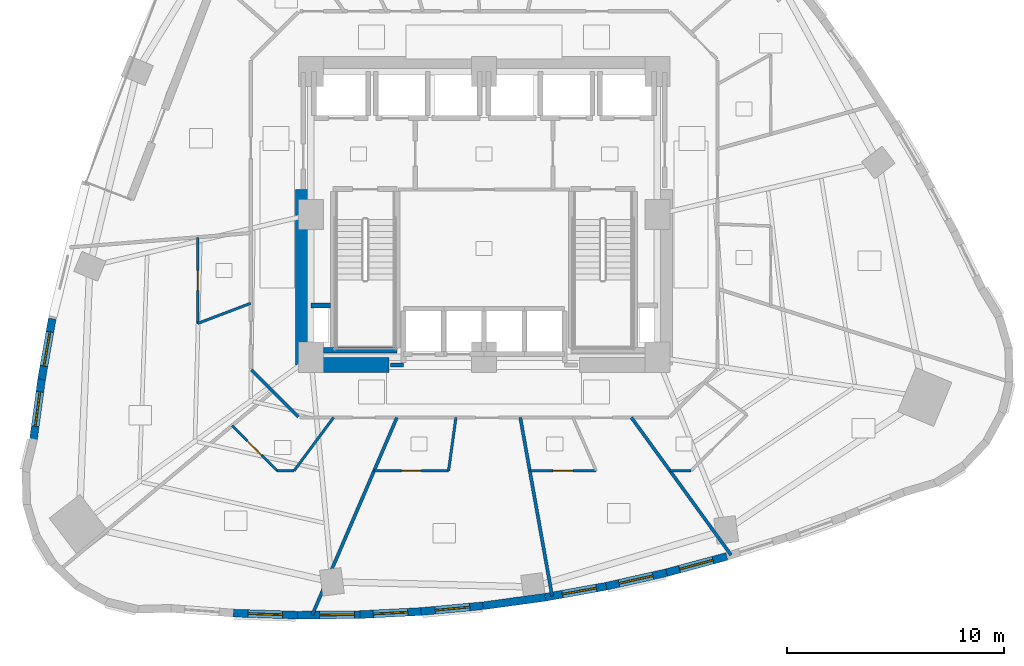
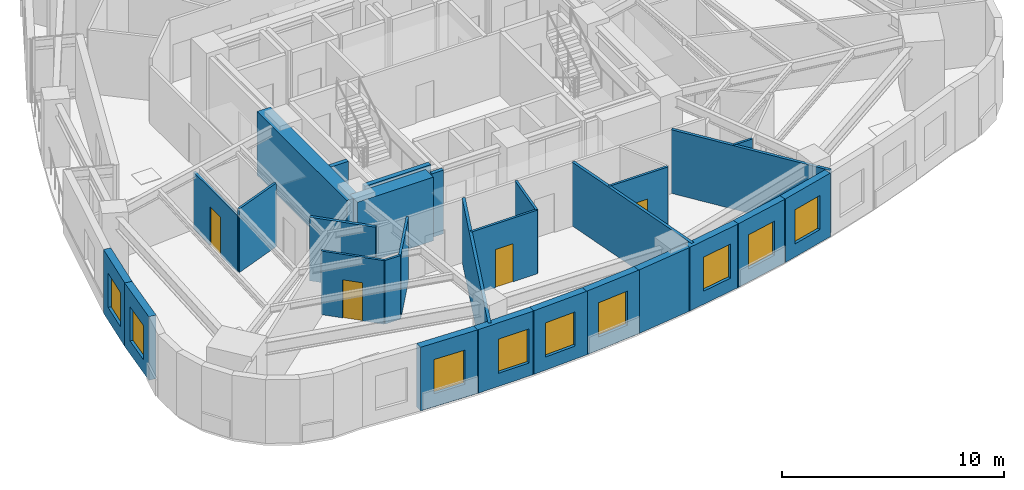
# One storey, part 5 of 12: 28 walls, 9 windows, 4 doors, 13 openings.
"""IFC4 building model written with IfcOpenShell, lengths in metres."""

import ifcopenshell
import ifcopenshell.guid

model = None  # the IFC model being written
_history = None  # IfcOwnerHistory: only IFC2X3 demands one
_inside = {}  # id of a spatial element -> (the spatial element, [elements in it])
_under = {}  # id of a project, library or spatial element -> (it, [spatial elements below it])
_declared = {}  # id of a project -> (the project, [libraries it declares])
_typed = {}  # id of a type object -> (the type object, [elements of that type])
_made_of = {}  # id of a material, layer set ... -> (it, [elements and type objects made of it])


def new_model(schema):
    """Start an empty IFC model of exactly this schema.

    Asked for "IFC4X3", IfcOpenShell would pick the latest addendum, in which some entities
    have other attributes; the version numbers below select the first issue.
    IFC2X3 requires an IfcOwnerHistory on every rooted entity: one is made here for all.
    """
    global model, _history
    if schema == "IFC4X3":
        model = ifcopenshell.file(schema_version=(4, 3, 0, 0))
    else:
        model = ifcopenshell.file(schema=schema)
    _inside.clear()
    _under.clear()
    _declared.clear()
    _typed.clear()
    _made_of.clear()
    _history = None
    if model.schema == "IFC2X3":
        org = make("IfcOrganization", Name="unknown")
        user = make(
            "IfcPersonAndOrganization",
            ThePerson=make("IfcPerson", FamilyName="unknown"),
            TheOrganization=org,
        )
        app = make(
            "IfcApplication",
            ApplicationDeveloper=org,
            Version="unknown",
            ApplicationFullName="unknown",
            ApplicationIdentifier="unknown",
        )
        _history = make(
            "IfcOwnerHistory",
            OwningUser=user,
            OwningApplication=app,
            ChangeAction="ADDED",
            CreationDate=0,
        )
    return model


def make(cls, **values):
    """One entity of the class cls with the attributes given. An attribute that is None is left unset."""
    return model.create_entity(
        cls, **{name: value for name, value in values.items() if value is not None}
    )


def rooted(cls, **values):
    """An entity with a GlobalId (a new one), such as an element, a storey or a relation."""
    return make(cls, GlobalId=ifcopenshell.guid.new(), OwnerHistory=_history, **values)


def si_unit(unit_type, name, prefix=None):
    """IfcSIUnit, for example si_unit("LENGTHUNIT", "METRE", prefix="MILLI")."""
    return make("IfcSIUnit", UnitType=unit_type, Prefix=prefix, Name=name)


def assignment(units):
    """IfcUnitAssignment: the units of a project."""
    return None if units is None else make("IfcUnitAssignment", Units=units)


def point(xyz):
    """IfcCartesianPoint."""
    return None if xyz is None else make("IfcCartesianPoint", Coordinates=xyz)


def direction(xyz):
    """IfcDirection."""
    return None if xyz is None else make("IfcDirection", DirectionRatios=xyz)


def frame(location, z_axis=None, x_axis=None):
    """IfcAxis2Placement3D, a coordinate frame: its origin and axes. An axis left out is left unset."""
    return make(
        "IfcAxis2Placement3D",
        Location=point(location),
        Axis=direction(z_axis),
        RefDirection=direction(x_axis),
    )


def frame_2d(location, x_axis=None):
    """IfcAxis2Placement2D, a coordinate frame in the plane: its origin and x axis."""
    return make(
        "IfcAxis2Placement2D", Location=point(location), RefDirection=direction(x_axis)
    )


def origin():
    """The frame at (0, 0, 0) with its axes left unset."""
    return frame((0.0, 0.0, 0.0))


def place(relative_to, where):
    """IfcLocalPlacement: puts the frame where relative to a parent placement (None: the world)."""
    return make(
        "IfcLocalPlacement", PlacementRelTo=relative_to, RelativePlacement=where
    )


def context(
    kind, dimensions, precision=None, world=None, true_north=None, identifier=None
):
    """IfcGeometricRepresentationContext, for example the 3D "Model" context."""
    return make(
        "IfcGeometricRepresentationContext",
        ContextIdentifier=identifier,
        ContextType=kind,
        CoordinateSpaceDimension=dimensions,
        Precision=precision,
        WorldCoordinateSystem=world,
        TrueNorth=true_north,
    )


def subcontext(parent, identifier, kind, view, scale=None):
    """IfcGeometricRepresentationSubContext, for example "Body" below "Model"."""
    return make(
        "IfcGeometricRepresentationSubContext",
        ContextIdentifier=identifier,
        ContextType=kind,
        ParentContext=parent,
        TargetScale=scale,
        TargetView=view,
    )


def project(units=None, contexts=None):
    """IfcProject with its units and contexts."""
    return rooted(
        "IfcProject",
        Name="project",
        RepresentationContexts=contexts,
        UnitsInContext=assignment(units),
    )


def spatial(cls, under=None, at=None, **own):
    """A site, building, storey or space (cls), placed at a placement, below another one or the project."""
    s = rooted(cls, ObjectPlacement=at, **own)
    if under is not None:
        _under.setdefault(under.id(), (under, []))[1].append(s)
    return s


def profile(cls, at=None, kind="AREA", **sizes):
    """A parametric profile (cls). Its sizes go by their IFC names, for example OverallWidth=200.0."""
    return make(cls, ProfileType=kind, Position=at, **sizes)


def rectangle(**sizes):
    """IfcRectangleProfileDef."""
    return profile("IfcRectangleProfileDef", **sizes)


def extrude(swept, where, along, depth):
    """IfcExtrudedAreaSolid: the profile swept, set in the frame where, extruded along a direction by depth."""
    return make(
        "IfcExtrudedAreaSolid",
        SweptArea=swept,
        Position=where,
        ExtrudedDirection=direction(along),
        Depth=depth,
    )


def shape(context_of_items, identifier, shape_type, items):
    """IfcShapeRepresentation: the items that make up one representation, for example the "Body"."""
    return make(
        "IfcShapeRepresentation",
        ContextOfItems=context_of_items,
        RepresentationIdentifier=identifier,
        RepresentationType=shape_type,
        Items=items,
    )


def material(Name=None, Category=None):
    """IfcMaterial."""
    return make("IfcMaterial", Name=Name, Category=Category)


def layer(
    of_material, thickness, ventilated=None, Name=None, Category=None, Priority=None
):
    """IfcMaterialLayer: one layer of a wall or slab, of a material (None: an air gap)."""
    return make(
        "IfcMaterialLayer",
        Material=of_material,
        LayerThickness=thickness,
        IsVentilated=ventilated,
        Name=Name,
        Category=Category,
        Priority=Priority,
    )


def layer_set(layers, Name=None):
    """IfcMaterialLayerSet."""
    return make("IfcMaterialLayerSet", MaterialLayers=layers, LayerSetName=Name)


def made_of(thing, what):
    """Note that an element or type object is made of a material, layer set ...; save() writes the relation."""
    if what is not None:
        _made_of.setdefault(what.id(), (what, []))[1].append(thing)
    return thing


def type_object(cls, material=None, **own):
    """A type object (cls), such as IfcWallType, which elements share."""
    return made_of(rooted(cls, **own), material)


def element(
    cls,
    number,
    at=None,
    inside=None,
    cuts=None,
    type_object=None,
    material=None,
    context=None,
    identifier="Body",
    shape_type=None,
    held_by="IfcProductDefinitionShape",
    body=None,
    shapes=None,
    **own,
):
    """One element of the class cls, such as IfcWall. Its Tag is "e" and its number.

    at: its placement. inside: the storey or other place that contains it. cuts: it is an
    opening in that element (IfcRelVoidsElement). A single representation is given by context,
    identifier, shape_type and body (its items); several are given by shapes. held_by: the class
    of the entity that holds the representations. save() writes the other relations.
    """
    e = rooted(cls, Tag="e%d" % number, ObjectPlacement=at, **own)
    if body is not None:
        shapes = [shape(context, identifier, shape_type, body)]
    if shapes is not None:
        e.Representation = make(held_by, Representations=shapes)
    if inside is not None:
        _inside.setdefault(inside.id(), (inside, []))[1].append(e)
    if cuts is not None:
        rooted(
            "IfcRelVoidsElement", RelatingBuildingElement=cuts, RelatedOpeningElement=e
        )
    if type_object is not None:
        _typed.setdefault(type_object.id(), (type_object, []))[1].append(e)
    return made_of(e, material)


def fill(opening, filler):
    """IfcRelFillsElement: the door or window that sits in an opening."""
    return rooted(
        "IfcRelFillsElement",
        RelatingOpeningElement=opening,
        RelatedBuildingElement=filler,
    )


def aggregate(whole, parts):
    """IfcRelAggregates: a whole, such as a stair, and the parts it consists of."""
    return rooted("IfcRelAggregates", RelatingObject=whole, RelatedObjects=parts)


def save(model, path):
    """Write the relations noted so far, then the file.

    IfcRelAggregates (storeys below a building ...), IfcRelContainedInSpatialStructure (elements
    in a storey), IfcRelDefinesByType, IfcRelAssociatesMaterial and IfcRelDeclares: one each for
    every whole, place, type object, material and project.
    """
    for whole, parts in _under.values():
        aggregate(whole, parts)
    for where, things in _inside.values():
        rooted(
            "IfcRelContainedInSpatialStructure",
            RelatedElements=things,
            RelatingStructure=where,
        )
    for kind, things in _typed.values():
        rooted("IfcRelDefinesByType", RelatedObjects=things, RelatingType=kind)
    for what, things in _made_of.values():
        rooted("IfcRelAssociatesMaterial", RelatedObjects=things, RelatingMaterial=what)
    for by, libraries in _declared.values():
        rooted("IfcRelDeclares", RelatingContext=by, RelatedDefinitions=libraries)
    model.write(path)


model = new_model("IFC4")

# Units and contexts
model_context = context("Model", 3, precision=1e-05, world=origin(), true_north=direction((0.0, 1.0)))
body_context = subcontext(model_context, "Body", "Model", "MODEL_VIEW")
ifc_project = project(units=[si_unit("LENGTHUNIT", "METRE"), si_unit("AREAUNIT", "SQUARE_METRE"), si_unit("VOLUMEUNIT", "CUBIC_METRE"), si_unit("PLANEANGLEUNIT", "RADIAN"), si_unit("MASSUNIT", "GRAM", prefix="KILO")], contexts=[model_context])

# Site, building, storey
site_placement = place(None, origin())
site = spatial("IfcSite", under=ifc_project, at=site_placement, CompositionType="ELEMENT")
building_placement = place(site_placement, origin())
building = spatial("IfcBuilding", under=site, at=building_placement, Name="Ndelora Gate Hotel", CompositionType="ELEMENT")
storey_placement = place(building_placement, frame((0.0, 0.0, 68.0)))
storey = spatial("IfcBuildingStorey", under=building, at=storey_placement, Name="L16", CompositionType="ELEMENT", Elevation=68.0)

# Wall, opening, window
ifc_material_1 = material(Name="Clay Brick Masonry", Category="masonry")
ifc_layer_1 = layer(ifc_material_1, 0.360107421875)
ifc_layer_set_1 = layer_set([ifc_layer_1], Name="Clay Brick Masonry")
wall_type_1 = type_object("IfcWallType", Name="WL-BRICK-360", PredefinedType="SOLIDWALL", material=ifc_layer_set_1)
wall_1_placement = place(storey_placement, frame((-20.43359375, -7.6171875, 0.0), z_axis=(0.0, 0.0, 1.0), x_axis=(0.173085595545, 0.984906785749, 0.0)))
wall_1 = element("IfcWall", 1, at=wall_1_placement, inside=storey, type_object=wall_type_1, Name="L16 Tower Brick Pier-and-Spandrel Wall TWR-17", PredefinedType="SOLIDWALL", context=body_context, shape_type="SweptSolid", body=[
    extrude(rectangle(XDim=2.846435546875, YDim=0.360107421875, at=frame_2d((1.42333984375, 0.0))), origin(), (0.0, 0.0, 1.0), 3.5),
])
opening_1_placement = place(wall_1_placement, frame((0.623291015625, 0.0, 0.719970703125)))
opening_1 = element("IfcOpeningElement", 2, at=opening_1_placement, cuts=wall_1, Name="Opening W03", PredefinedType="OPENING", context=body_context, shape_type="SweptSolid", body=[
    extrude(rectangle(XDim=1.60009765625, YDim=1.8798828125, at=frame_2d((0.800048828125, 0.93994140625))), frame((0.0, 0.18994140625, 0.0), z_axis=(0.0, -1.0, 0.0), x_axis=(1.0, 0.0, 0.0)), (0.0, 0.0, 1.0), 0.380126953125),
])
ifc_material_2 = material(Name="Insulated Low-E Double Glazing in Bronze Aluminium Frame", Category="aluminium")
window_type_1 = type_object("IfcWindowType", Name="WN-CORN-2100", PartitioningType="SINGLE_PANEL", PredefinedType="WINDOW", material=ifc_material_2)
window_1_placement = place(opening_1_placement, origin())
window_1 = element("IfcWindow", 3, at=window_1_placement, inside=storey, type_object=window_type_1, Name="L16 Deep-Set Brick-Pier Window W03", OverallHeight=1.8798828125, OverallWidth=1.60009765625, PartitioningType="SINGLE_PANEL", PredefinedType="WINDOW", context=body_context, shape_type="SweptSolid", body=[
    extrude(rectangle(XDim=1.60009765625, YDim=1.8798828125, at=frame_2d((0.800048828125, 0.93994140625))), frame((0.0, 0.030029296875, 0.0), z_axis=(0.0, -1.0, 0.0), x_axis=(1.0, 0.0, 0.0)), (0.0, 0.0, 1.0), 0.06005859375),
])
fill(opening_1, window_1)

wall_2_placement = place(storey_placement, frame((-20.811767578125, -10.411865234375, 0.0), z_axis=(0.0, 0.0, 1.0), x_axis=(0.134391985669, 0.990928248759, 0.0)))
wall_2 = element("IfcWall", 4, at=wall_2_placement, inside=storey, type_object=wall_type_1, Name="L16 Tower Brick Pier-and-Spandrel Wall TWR-18", PredefinedType="SOLIDWALL", context=body_context, shape_type="SweptSolid", body=[
    extrude(rectangle(XDim=2.870361328125, YDim=0.360107421875, at=frame_2d((1.43505859375, 0.0))), origin(), (0.0, 0.0, 1.0), 3.5),
])
opening_2_placement = place(wall_2_placement, frame((0.635009765625, 0.0, 0.719970703125)))
opening_2 = element("IfcOpeningElement", 5, at=opening_2_placement, cuts=wall_2, Name="Opening W01", PredefinedType="OPENING", context=body_context, shape_type="SweptSolid", body=[
    extrude(rectangle(XDim=1.60009765625, YDim=1.8798828125, at=frame_2d((0.800048828125, 0.93994140625))), frame((0.0, 0.18994140625, 0.0), z_axis=(0.0, -1.0, 0.0), x_axis=(1.0, 0.0, 0.0)), (0.0, 0.0, 1.0), 0.380126953125),
])
window_type_2 = type_object("IfcWindowType", Name="WN-DEEP-1600", PartitioningType="SINGLE_PANEL", PredefinedType="WINDOW", material=ifc_material_2)
window_2_placement = place(opening_2_placement, origin())
window_2 = element("IfcWindow", 6, at=window_2_placement, inside=storey, type_object=window_type_2, Name="L16 Deep-Set Brick-Pier Window W01", OverallHeight=1.8798828125, OverallWidth=1.60009765625, PartitioningType="SINGLE_PANEL", PredefinedType="WINDOW", context=body_context, shape_type="SweptSolid", body=[
    extrude(rectangle(XDim=1.60009765625, YDim=1.8798828125, at=frame_2d((0.800048828125, 0.93994140625))), frame((0.0, 0.030029296875, 0.0), z_axis=(0.0, -1.0, 0.0), x_axis=(1.0, 0.0, 0.0)), (0.0, 0.0, 1.0), 0.06005859375),
])
fill(opening_2, window_2)

wall_3_placement = place(storey_placement, frame((-8.622314453125, -18.507568359375, 0.0), z_axis=(0.0, 0.0, 1.0), x_axis=(-0.999456194292, 0.032974470283, 0.0)))
wall_3 = element("IfcWall", 7, at=wall_3_placement, inside=storey, type_object=wall_type_1, Name="L16 Tower Brick Pier-and-Spandrel Wall TWR-28", PredefinedType="SOLIDWALL", context=body_context, shape_type="SweptSolid", body=[
    extrude(rectangle(XDim=2.961669921875, YDim=0.360107421875, at=frame_2d((1.48095703125, 0.0))), origin(), (0.0, 0.0, 1.0), 3.5),
])
opening_3_placement = place(wall_3_placement, frame((0.6806640625, 0.0, 0.719970703125)))
opening_3 = element("IfcOpeningElement", 8, at=opening_3_placement, cuts=wall_3, Name="Opening W01", PredefinedType="OPENING", context=body_context, shape_type="SweptSolid", body=[
    extrude(rectangle(XDim=1.60009765625, YDim=1.8798828125, at=frame_2d((0.800048828125, 0.93994140625))), frame((0.0, 0.18994140625, 0.0), z_axis=(0.0, -1.0, 0.0), x_axis=(1.0, 0.0, 0.0)), (0.0, 0.0, 1.0), 0.380126953125),
])
window_3_placement = place(opening_3_placement, origin())
window_3 = element("IfcWindow", 9, at=window_3_placement, inside=storey, type_object=window_type_2, Name="L16 Deep-Set Brick-Pier Window W01", OverallHeight=1.8798828125, OverallWidth=1.60009765625, PartitioningType="SINGLE_PANEL", PredefinedType="WINDOW", context=body_context, shape_type="SweptSolid", body=[
    extrude(rectangle(XDim=1.60009765625, YDim=1.8798828125, at=frame_2d((0.800048828125, 0.93994140625))), frame((0.0, 0.030029296875, 0.0), z_axis=(0.0, -1.0, 0.0), x_axis=(1.0, 0.0, 0.0)), (0.0, 0.0, 1.0), 0.06005859375),
])
fill(opening_3, window_3)

wall_4_placement = place(storey_placement, frame((-5.731689453125, -18.481689453125, 0.0), z_axis=(0.0, 0.0, 1.0), x_axis=(-0.999962726619, -0.008633966257, 0.0)))
wall_4 = element("IfcWall", 10, at=wall_4_placement, inside=storey, type_object=wall_type_1, Name="L16 Tower Brick Pier-and-Spandrel Wall TWR-29", PredefinedType="SOLIDWALL", context=body_context, shape_type="SweptSolid", body=[
    extrude(rectangle(XDim=2.940673828125, YDim=0.360107421875, at=frame_2d((1.47021484375, 0.0))), origin(), (0.0, 0.0, 1.0), 3.5),
])
opening_4_placement = place(wall_4_placement, frame((0.260009765625, 0.0, 0.719970703125)))
opening_4 = element("IfcOpeningElement", 11, at=opening_4_placement, cuts=wall_4, Name="Opening W03", PredefinedType="OPENING", context=body_context, shape_type="SweptSolid", body=[
    extrude(rectangle(XDim=1.60009765625, YDim=1.8798828125, at=frame_2d((0.800048828125, 0.93994140625))), frame((0.0, 0.18994140625, 0.0), z_axis=(0.0, -1.0, 0.0), x_axis=(1.0, 0.0, 0.0)), (0.0, 0.0, 1.0), 0.380126953125),
])
window_4_placement = place(opening_4_placement, origin())
window_4 = element("IfcWindow", 12, at=window_4_placement, inside=storey, type_object=window_type_1, Name="L16 Deep-Set Brick-Pier Window W03", OverallHeight=1.8798828125, OverallWidth=1.60009765625, PartitioningType="SINGLE_PANEL", PredefinedType="WINDOW", context=body_context, shape_type="SweptSolid", body=[
    extrude(rectangle(XDim=1.60009765625, YDim=1.8798828125, at=frame_2d((0.800048828125, 0.93994140625))), frame((0.0, 0.030029296875, 0.0), z_axis=(0.0, -1.0, 0.0), x_axis=(1.0, 0.0, 0.0)), (0.0, 0.0, 1.0), 0.06005859375),
])
fill(opening_4, window_4)

wall_5_placement = place(storey_placement, frame((-2.860107421875, -18.335205078125, 0.0), z_axis=(0.0, 0.0, 1.0), x_axis=(-0.998716074647, -0.050657696775, 0.0)))
wall_5 = element("IfcWall", 13, at=wall_5_placement, inside=storey, type_object=wall_type_1, Name="L16 Tower Brick Pier-and-Spandrel Wall TWR-30", PredefinedType="SOLIDWALL", context=body_context, shape_type="SweptSolid", body=[
    extrude(rectangle(XDim=2.92529296875, YDim=0.360107421875, at=frame_2d((1.462646484375, 0.0))), origin(), (0.0, 0.0, 1.0), 3.5),
])
opening_5_placement = place(wall_5_placement, frame((0.66259765625, 0.0, 0.719970703125)))
opening_5 = element("IfcOpeningElement", 14, at=opening_5_placement, cuts=wall_5, Name="Opening W01", PredefinedType="OPENING", context=body_context, shape_type="SweptSolid", body=[
    extrude(rectangle(XDim=1.60009765625, YDim=1.8798828125, at=frame_2d((0.800048828125, 0.93994140625))), frame((0.0, 0.18994140625, 0.0), z_axis=(0.0, -1.0, 0.0), x_axis=(1.0, 0.0, 0.0)), (0.0, 0.0, 1.0), 0.380126953125),
])
window_5_placement = place(opening_5_placement, origin())
window_5 = element("IfcWindow", 15, at=window_5_placement, inside=storey, type_object=window_type_2, Name="L16 Deep-Set Brick-Pier Window W01", OverallHeight=1.8798828125, OverallWidth=1.60009765625, PartitioningType="SINGLE_PANEL", PredefinedType="WINDOW", context=body_context, shape_type="SweptSolid", body=[
    extrude(rectangle(XDim=1.60009765625, YDim=1.8798828125, at=frame_2d((0.800048828125, 0.93994140625))), frame((0.0, 0.030029296875, 0.0), z_axis=(0.0, -1.0, 0.0), x_axis=(1.0, 0.0, 0.0)), (0.0, 0.0, 1.0), 0.06005859375),
])
fill(opening_5, window_5)

wall_6_placement = place(storey_placement, frame((-0.0078125, -18.068115234375, 0.0), z_axis=(0.0, 0.0, 1.0), x_axis=(-0.995676208467, -0.092891807453, 0.0)))
wall_6 = element("IfcWall", 16, at=wall_6_placement, inside=storey, type_object=wall_type_1, Name="L16 Tower Brick Pier-and-Spandrel Wall TWR-31", PredefinedType="SOLIDWALL", context=body_context, shape_type="SweptSolid", body=[
    extrude(rectangle(XDim=2.914794921875, YDim=0.360107421875, at=frame_2d((1.45751953125, 0.0))), origin(), (0.0, 0.0, 1.0), 3.5),
])
opening_6_placement = place(wall_6_placement, frame((0.657470703125, 0.0, 0.719970703125)))
opening_6 = element("IfcOpeningElement", 17, at=opening_6_placement, cuts=wall_6, Name="Opening W01", PredefinedType="OPENING", context=body_context, shape_type="SweptSolid", body=[
    extrude(rectangle(XDim=1.60009765625, YDim=1.8798828125, at=frame_2d((0.800048828125, 0.93994140625))), frame((0.0, 0.18994140625, 0.0), z_axis=(0.0, -1.0, 0.0), x_axis=(1.0, 0.0, 0.0)), (0.0, 0.0, 1.0), 0.380126953125),
])
window_6_placement = place(opening_6_placement, origin())
window_6 = element("IfcWindow", 18, at=window_6_placement, inside=storey, type_object=window_type_2, Name="L16 Deep-Set Brick-Pier Window W01", OverallHeight=1.8798828125, OverallWidth=1.60009765625, PartitioningType="SINGLE_PANEL", PredefinedType="WINDOW", context=body_context, shape_type="SweptSolid", body=[
    extrude(rectangle(XDim=1.60009765625, YDim=1.8798828125, at=frame_2d((0.800048828125, 0.93994140625))), frame((0.0, 0.030029296875, 0.0), z_axis=(0.0, -1.0, 0.0), x_axis=(1.0, 0.0, 0.0)), (0.0, 0.0, 1.0), 0.06005859375),
])
fill(opening_6, window_6)

# Wall
wall_7_placement = place(storey_placement, frame((2.82568359375, -17.68017578125, 0.0), z_axis=(0.0, 0.0, 1.0), x_axis=(-0.990811267406, -0.13525173707, 0.0)))
element("IfcWall", 19, at=wall_7_placement, inside=storey, type_object=wall_type_1, Name="L16 Tower Brick Pier-and-Spandrel Wall TWR-32", PredefinedType="SOLIDWALL", context=body_context, shape_type="SweptSolid", body=[
    extrude(rectangle(XDim=2.909912109375, YDim=0.360107421875, at=frame_2d((1.455078125, 0.0))), origin(), (0.0, 0.0, 1.0), 3.5),
])

# Wall, opening, window
wall_8_placement = place(storey_placement, frame((5.6396484375, -17.17138671875, 0.0), z_axis=(0.0, 0.0, 1.0), x_axis=(-0.984113321651, -0.177541460364, 0.0)))
wall_8 = element("IfcWall", 20, at=wall_8_placement, inside=storey, type_object=wall_type_1, Name="L16 Tower Brick Pier-and-Spandrel Wall TWR-33", PredefinedType="SOLIDWALL", context=body_context, shape_type="SweptSolid", body=[
    extrude(rectangle(XDim=2.90966796875, YDim=0.360107421875, at=frame_2d((1.454833984375, 0.0))), origin(), (0.0, 0.0, 1.0), 3.5),
])
opening_7_placement = place(wall_8_placement, frame((0.4599609375, 0.0, 0.719970703125)))
opening_7 = element("IfcOpeningElement", 21, at=opening_7_placement, cuts=wall_8, Name="Opening W03", PredefinedType="OPENING", context=body_context, shape_type="SweptSolid", body=[
    extrude(rectangle(XDim=1.60009765625, YDim=1.8798828125, at=frame_2d((0.800048828125, 0.93994140625))), frame((0.0, 0.18994140625, 0.0), z_axis=(0.0, -1.0, 0.0), x_axis=(1.0, 0.0, 0.0)), (0.0, 0.0, 1.0), 0.380126953125),
])
window_7_placement = place(opening_7_placement, origin())
window_7 = element("IfcWindow", 22, at=window_7_placement, inside=storey, type_object=window_type_1, Name="L16 Deep-Set Brick-Pier Window W03", OverallHeight=1.8798828125, OverallWidth=1.60009765625, PartitioningType="SINGLE_PANEL", PredefinedType="WINDOW", context=body_context, shape_type="SweptSolid", body=[
    extrude(rectangle(XDim=1.60009765625, YDim=1.8798828125, at=frame_2d((0.800048828125, 0.93994140625))), frame((0.0, 0.030029296875, 0.0), z_axis=(0.0, -1.0, 0.0), x_axis=(1.0, 0.0, 0.0)), (0.0, 0.0, 1.0), 0.06005859375),
])
fill(opening_7, window_7)

wall_9_placement = place(storey_placement, frame((8.4345703125, -16.5419921875, 0.0), z_axis=(0.0, 0.0, 1.0), x_axis=(-0.975646064216, -0.219350763343, 0.0)))
wall_9 = element("IfcWall", 23, at=wall_9_placement, inside=storey, type_object=wall_type_1, Name="L16 Tower Brick Pier-and-Spandrel Wall TWR-34", PredefinedType="SOLIDWALL", context=body_context, shape_type="SweptSolid", body=[
    extrude(rectangle(XDim=2.9150390625, YDim=0.360107421875, at=frame_2d((1.45751953125, 0.0))), origin(), (0.0, 0.0, 1.0), 3.5),
])
opening_8_placement = place(wall_9_placement, frame((0.657470703125, 0.0, 0.719970703125)))
opening_8 = element("IfcOpeningElement", 24, at=opening_8_placement, cuts=wall_9, Name="Opening W01", PredefinedType="OPENING", context=body_context, shape_type="SweptSolid", body=[
    extrude(rectangle(XDim=1.60009765625, YDim=1.8798828125, at=frame_2d((0.800048828125, 0.93994140625))), frame((0.0, 0.18994140625, 0.0), z_axis=(0.0, -1.0, 0.0), x_axis=(1.0, 0.0, 0.0)), (0.0, 0.0, 1.0), 0.380126953125),
])
window_8_placement = place(opening_8_placement, origin())
window_8 = element("IfcWindow", 25, at=window_8_placement, inside=storey, type_object=window_type_2, Name="L16 Deep-Set Brick-Pier Window W01", OverallHeight=1.8798828125, OverallWidth=1.60009765625, PartitioningType="SINGLE_PANEL", PredefinedType="WINDOW", context=body_context, shape_type="SweptSolid", body=[
    extrude(rectangle(XDim=1.60009765625, YDim=1.8798828125, at=frame_2d((0.800048828125, 0.93994140625))), frame((0.0, 0.030029296875, 0.0), z_axis=(0.0, -1.0, 0.0), x_axis=(1.0, 0.0, 0.0)), (0.0, 0.0, 1.0), 0.06005859375),
])
fill(opening_8, window_8)

wall_10_placement = place(storey_placement, frame((11.210205078125, -15.7919921875, 0.0), z_axis=(0.0, 0.0, 1.0), x_axis=(-0.965457640719, -0.260560058292, 0.0)))
wall_10 = element("IfcWall", 26, at=wall_10_placement, inside=storey, type_object=wall_type_1, Name="L16 Tower Brick Pier-and-Spandrel Wall TWR-35", PredefinedType="SOLIDWALL", context=body_context, shape_type="SweptSolid", body=[
    extrude(rectangle(XDim=2.92529296875, YDim=0.360107421875, at=frame_2d((1.462646484375, 0.0))), origin(), (0.0, 0.0, 1.0), 3.5),
])
opening_9_placement = place(wall_10_placement, frame((0.66259765625, 0.0, 0.719970703125)))
opening_9 = element("IfcOpeningElement", 27, at=opening_9_placement, cuts=wall_10, Name="Opening W01", PredefinedType="OPENING", context=body_context, shape_type="SweptSolid", body=[
    extrude(rectangle(XDim=1.60009765625, YDim=1.8798828125, at=frame_2d((0.800048828125, 0.93994140625))), frame((0.0, 0.18994140625, 0.0), z_axis=(0.0, -1.0, 0.0), x_axis=(1.0, 0.0, 0.0)), (0.0, 0.0, 1.0), 0.380126953125),
])
window_9_placement = place(opening_9_placement, origin())
window_9 = element("IfcWindow", 28, at=window_9_placement, inside=storey, type_object=window_type_2, Name="L16 Deep-Set Brick-Pier Window W01", OverallHeight=1.8798828125, OverallWidth=1.60009765625, PartitioningType="SINGLE_PANEL", PredefinedType="WINDOW", context=body_context, shape_type="SweptSolid", body=[
    extrude(rectangle(XDim=1.60009765625, YDim=1.8798828125, at=frame_2d((0.800048828125, 0.93994140625))), frame((0.0, 0.030029296875, 0.0), z_axis=(0.0, -1.0, 0.0), x_axis=(1.0, 0.0, 0.0)), (0.0, 0.0, 1.0), 0.06005859375),
])
fill(opening_9, window_9)

# Walls
ifc_material_3 = material(Name="Concrete C60/75", Category="concrete")
ifc_layer_2 = layer(ifc_material_3, 0.699951171875)
ifc_layer_set_2 = layer_set([ifc_layer_2], Name="Concrete C60/75")
wall_type_2 = type_object("IfcWallType", Name="WL-CORE-700", PredefinedType="SHEAR", material=ifc_layer_set_2)
wall_11_placement = place(storey_placement, frame((-8.35009765625, -6.949951171875, 0.0), z_axis=(0.0, 0.0, 1.0), x_axis=(1.0, 0.0, 0.0)))
element("IfcWall", 29, at=wall_11_placement, inside=storey, type_object=wall_type_2, Name="L16 Core Shear Wall S-W", PredefinedType="SHEAR", context=body_context, shape_type="SweptSolid", body=[
    extrude(rectangle(XDim=3.9501953125, YDim=0.699951171875, at=frame_2d((1.97509765625, 0.0))), origin(), (0.0, 0.0, 1.0), 3.5),
])
wall_12_placement = place(storey_placement, frame((-8.35009765625, -6.949951171875, 0.0), z_axis=(0.0, 0.0, 1.0), x_axis=(0.0, 1.0, 0.0)))
element("IfcWall", 30, at=wall_12_placement, inside=storey, type_object=wall_type_2, Name="L16 Core Shear Wall W", PredefinedType="SHEAR", context=body_context, shape_type="SweptSolid", body=[
    extrude(rectangle(XDim=8.099853515625, YDim=0.699951171875, at=frame_2d((4.0498046875, 0.0))), origin(), (0.0, 0.0, 1.0), 3.5),
])
ifc_material_4 = material(Name="Concrete C40/50", Category="concrete")
ifc_layer_3 = layer(ifc_material_4, 0.199951171875)
ifc_layer_set_3 = layer_set([ifc_layer_3], Name="Concrete C40/50")
wall_type_3 = type_object("IfcWallType", Name="WL-FIRE-200", PredefinedType="PARTITIONING", material=ifc_layer_set_3)
wall_13_placement = place(storey_placement, frame((-4.320068359375, -6.949951171875, 0.0), z_axis=(0.0, 0.0, 1.0), x_axis=(1.0, 0.0, 0.0)))
element("IfcWall", 31, at=wall_13_placement, inside=storey, type_object=wall_type_3, Name="L16 Interior Wall IW-2", PredefinedType="PARTITIONING", context=body_context, shape_type="SweptSolid", body=[
    extrude(rectangle(XDim=0.60009765625, YDim=0.199951171875, at=frame_2d((0.300048828125, 0.0))), origin(), (0.0, 0.0, 1.0), 3.5),
])
ifc_material_5 = material(Name="Fire-Rated Gypsum Stud Partition", Category="gypsum")
ifc_layer_4 = layer(ifc_material_5, 0.14990234375)
ifc_layer_set_4 = layer_set([ifc_layer_4], Name="Fire-Rated Gypsum Stud Partition")
wall_type_4 = type_object("IfcWallType", Name="WL-PART-150", PredefinedType="PARTITIONING", material=ifc_layer_set_4)
wall_14_placement = place(storey_placement, frame((-8.578369140625, -9.351806640625, 0.0), z_axis=(0.0, 0.0, 1.0), x_axis=(-0.707067066127, 0.707146494016, 0.0)))
element("IfcWall", 32, at=wall_14_placement, inside=storey, type_object=wall_type_4, Name="L16 Interior Wall IW-5", PredefinedType="PARTITIONING", context=body_context, shape_type="SweptSolid", body=[
    extrude(rectangle(XDim=3.07373046875, YDim=0.14990234375, at=frame_2d((1.536865234375, 0.0))), origin(), (0.0, 0.0, 1.0), 3.5),
])
wall_15_placement = place(storey_placement, frame((-4.024658203125, -9.3798828125, 0.0), z_axis=(0.0, 0.0, 1.0), x_axis=(-0.394293336578, -0.918984637919, 0.0)))
element("IfcWall", 33, at=wall_15_placement, inside=storey, type_object=wall_type_4, Name="L16 Interior Wall IW-5", PredefinedType="PARTITIONING", context=body_context, shape_type="SweptSolid", body=[
    extrude(rectangle(XDim=9.9248046875, YDim=0.14990234375, at=frame_2d((4.96240234375, 0.0))), origin(), (0.0, 0.0, 1.0), 3.5),
])
wall_16_placement = place(storey_placement, frame((1.672607421875, -9.3798828125, 0.0), z_axis=(0.0, 0.0, 1.0), x_axis=(0.175581709481, -0.984464861382, 0.0)))
element("IfcWall", 34, at=wall_16_placement, inside=storey, type_object=wall_type_4, Name="L16 Interior Wall IW-5", PredefinedType="PARTITIONING", context=body_context, shape_type="SweptSolid", body=[
    extrude(rectangle(XDim=8.3720703125, YDim=0.14990234375, at=frame_2d((4.18603515625, 0.0))), origin(), (0.0, 0.0, 1.0), 3.5),
])
wall_17_placement = place(storey_placement, frame((6.802490234375, -9.3798828125, 0.0), z_axis=(0.0, 0.0, 1.0), x_axis=(0.587042045372, -0.809556444583, 0.0)))
element("IfcWall", 35, at=wall_17_placement, inside=storey, type_object=wall_type_4, Name="L16 Interior Wall IW-5", PredefinedType="PARTITIONING", context=body_context, shape_type="SweptSolid", body=[
    extrude(rectangle(XDim=7.8427734375, YDim=0.14990234375, at=frame_2d((3.92138671875, 0.0))), origin(), (0.0, 0.0, 1.0), 3.5),
])
ifc_layer_5 = layer(ifc_material_4, 0.219970703125)
ifc_layer_set_5 = layer_set([ifc_layer_5], Name="Concrete C40/50")
wall_type_5 = type_object("IfcWallType", Name="WL-SHAFT-220", PredefinedType="PARTITIONING", material=ifc_layer_set_5)
wall_18_placement = place(storey_placement, frame((-8.0, -4.199951171875, 0.0), z_axis=(0.0, 0.0, 1.0), x_axis=(1.0, 0.0, 0.0)))
element("IfcWall", 36, at=wall_18_placement, inside=storey, type_object=wall_type_5, Name="L16 Interior Wall IW-1", PredefinedType="PARTITIONING", context=body_context, shape_type="SweptSolid", body=[
    extrude(rectangle(XDim=0.909912109375, YDim=0.219970703125, at=frame_2d((0.455078125, 0.0))), origin(), (0.0, 0.0, 1.0), 3.5),
])
ifc_material_6 = material(Name="Concrete C50/60", Category="concrete")
ifc_layer_6 = layer(ifc_material_6, 0.239990234375)
ifc_layer_set_6 = layer_set([ifc_layer_6], Name="Concrete C50/60")
wall_type_6 = type_object("IfcWallType", Name="WL-STAIR-240", PredefinedType="SHEAR", material=ifc_layer_set_6)
wall_19_placement = place(storey_placement, frame((-7.425048828125, -6.27001953125, 0.0), z_axis=(0.0, 0.0, 1.0), x_axis=(1.0, 0.0, 0.0)))
element("IfcWall", 37, at=wall_19_placement, inside=storey, type_object=wall_type_6, Name="L16 Stair Core Shear Wall SW-ST", PredefinedType="SHEAR", context=body_context, shape_type="SweptSolid", body=[
    extrude(rectangle(XDim=3.4150390625, YDim=0.239990234375, at=frame_2d((1.70751953125, 0.0))), origin(), (0.0, 0.0, 1.0), 3.5),
])
ifc_material_7 = material(Name="Moisture-Resistant Bathroom Tile Partition", Category="gypsum")
ifc_layer_7 = layer(ifc_material_7, 0.1201171875)
ifc_layer_set_7 = layer_set([ifc_layer_7], Name="Moisture-Resistant Bathroom Tile Partition")
wall_type_7 = type_object("IfcWallType", Name="WL-WET-120", PredefinedType="PARTITIONING", material=ifc_layer_set_7)
wall_20_placement = place(storey_placement, frame((-10.780029296875, -4.103515625, 0.0), z_axis=(0.0, 0.0, 1.0), x_axis=(-0.93460718983, -0.355681600195, 0.0)))
element("IfcWall", 38, at=wall_20_placement, inside=storey, type_object=wall_type_7, Name="L16 Interior Wall IW-7", PredefinedType="PARTITIONING", context=body_context, shape_type="SweptSolid", body=[
    extrude(rectangle(XDim=2.621337890625, YDim=0.1201171875, at=frame_2d((1.310546875, 0.0))), origin(), (0.0, 0.0, 1.0), 3.5),
])

# Wall, opening, door
wall_21_placement = place(storey_placement, frame((-13.22998046875, -5.035888671875, 0.0), z_axis=(0.0, 0.0, 1.0), x_axis=(0.0, 1.0, 0.0)))
wall_21 = element("IfcWall", 39, at=wall_21_placement, inside=storey, type_object=wall_type_7, Name="L16 Interior Wall IW-7", PredefinedType="PARTITIONING", context=body_context, shape_type="SweptSolid", body=[
    extrude(rectangle(XDim=3.981689453125, YDim=0.1201171875, at=frame_2d((1.99072265625, 0.0))), origin(), (0.0, 0.0, 1.0), 3.1201171875),
])
opening_10_placement = place(wall_21_placement, frame((1.531005859375, 0.0, 0.0)))
opening_10 = element("IfcOpeningElement", 40, at=opening_10_placement, cuts=wall_21, Name="Opening D03", PredefinedType="OPENING", context=body_context, shape_type="SweptSolid", body=[
    extrude(rectangle(XDim=0.919921875, YDim=2.10009765625, at=frame_2d((0.4599609375, 1.050048828125))), frame((0.0, 0.070068359375, 0.0), z_axis=(0.0, -1.0, 0.0), x_axis=(1.0, 0.0, 0.0)), (0.0, 0.0, 1.0), 0.14013671875),
])
ifc_material_8 = material(Name="Moisture-Resistant Hardwood En-Suite Door", Category="wood")
door_type = type_object("IfcDoorType", Name="DR-BATH-920", OperationType="SINGLE_SWING_LEFT", PredefinedType="DOOR", material=ifc_material_8)
door_1_placement = place(opening_10_placement, origin())
door_1 = element("IfcDoor", 41, at=door_1_placement, inside=storey, type_object=door_type, Name="L16 En-suite Bathroom 1901 Door", OperationType="SINGLE_SWING_RIGHT", OverallHeight=2.10009765625, OverallWidth=0.919921875, PredefinedType="DOOR", context=body_context, shape_type="SweptSolid", body=[
    extrude(rectangle(XDim=0.919921875, YDim=2.10009765625, at=frame_2d((0.4599609375, 1.050048828125))), frame((0.0, 0.02490234375, 0.0), z_axis=(0.0, -1.0, 0.0), x_axis=(1.0, 0.0, 0.0)), (0.0, 0.0, 1.0), 0.050048828125),
])
fill(opening_10, door_1)

# Walls
wall_22_placement = place(storey_placement, frame((-8.76806640625, -11.830078125, 0.0), z_axis=(0.0, 0.0, 1.0), x_axis=(0.595378789074, 0.80344514282, 0.0)))
element("IfcWall", 42, at=wall_22_placement, inside=storey, type_object=wall_type_7, Name="L16 Interior Wall IW-7", PredefinedType="PARTITIONING", context=body_context, shape_type="SweptSolid", body=[
    extrude(rectangle(XDim=3.049560546875, YDim=0.1201171875, at=frame_2d((1.52490234375, 0.0))), origin(), (0.0, 0.0, 1.0), 3.5),
])
wall_23_placement = place(storey_placement, frame((-8.76806640625, -11.830078125, 0.0), z_axis=(0.0, 0.0, 1.0), x_axis=(-1.0, 0.0, 0.0)))
element("IfcWall", 43, at=wall_23_placement, inside=storey, type_object=wall_type_7, Name="L16 Interior Wall IW-7", PredefinedType="PARTITIONING", context=body_context, shape_type="SweptSolid", body=[
    extrude(rectangle(XDim=0.796630859375, YDim=0.1201171875, at=frame_2d((0.3984375, 0.0))), origin(), (0.0, 0.0, 1.0), 3.5),
])

# Wall, opening, door
wall_24_placement = place(storey_placement, frame((-9.564697265625, -11.830078125, 0.0), z_axis=(0.0, 0.0, 1.0), x_axis=(-0.707106781187, 0.707106781187, 0.0)))
wall_24 = element("IfcWall", 44, at=wall_24_placement, inside=storey, type_object=wall_type_7, Name="L16 Interior Wall IW-7", PredefinedType="PARTITIONING", context=body_context, shape_type="SweptSolid", body=[
    extrude(rectangle(XDim=2.9375, YDim=0.1201171875, at=frame_2d((1.46875, 0.0))), origin(), (0.0, 0.0, 1.0), 3.5),
])
opening_11_placement = place(wall_24_placement, frame((1.0087890625, 0.0, 0.0)))
opening_11 = element("IfcOpeningElement", 45, at=opening_11_placement, cuts=wall_24, Name="Opening D03", PredefinedType="OPENING", context=body_context, shape_type="SweptSolid", body=[
    extrude(rectangle(XDim=0.919921875, YDim=2.10009765625, at=frame_2d((0.4599609375, 1.050048828125))), frame((0.0, 0.070068359375, 0.0), z_axis=(0.0, -1.0, 0.0), x_axis=(1.0, 0.0, 0.0)), (0.0, 0.0, 1.0), 0.14013671875),
])
door_2_placement = place(opening_11_placement, origin())
door_2 = element("IfcDoor", 46, at=door_2_placement, inside=storey, type_object=door_type, Name="L16 En-suite Bathroom 1902 Door", OperationType="SINGLE_SWING_LEFT", OverallHeight=2.10009765625, OverallWidth=0.919921875, PredefinedType="DOOR", context=body_context, shape_type="SweptSolid", body=[
    extrude(rectangle(XDim=0.919921875, YDim=2.10009765625, at=frame_2d((0.4599609375, 1.050048828125))), frame((0.0, 0.02490234375, 0.0), z_axis=(0.0, -1.0, 0.0), x_axis=(1.0, 0.0, 0.0)), (0.0, 0.0, 1.0), 0.050048828125),
])
fill(opening_11, door_2)

# Wall
wall_25_placement = place(storey_placement, frame((-1.2998046875, -9.3798828125, 0.0), z_axis=(0.0, 0.0, 1.0), x_axis=(-0.137191795374, -0.990544502424, 0.0)))
element("IfcWall", 47, at=wall_25_placement, inside=storey, type_object=wall_type_7, Name="L16 Interior Wall IW-7", PredefinedType="PARTITIONING", context=body_context, shape_type="SweptSolid", body=[
    extrude(rectangle(XDim=2.4736328125, YDim=0.1201171875, at=frame_2d((1.23681640625, 0.0))), origin(), (0.0, 0.0, 1.0), 3.5),
])

# Wall, opening, door
wall_26_placement = place(storey_placement, frame((-1.63916015625, -11.830078125, 0.0), z_axis=(0.0, 0.0, 1.0), x_axis=(-1.0, 0.0, 0.0)))
wall_26 = element("IfcWall", 48, at=wall_26_placement, inside=storey, type_object=wall_type_7, Name="L16 Interior Wall IW-7", PredefinedType="PARTITIONING", context=body_context, shape_type="SweptSolid", body=[
    extrude(rectangle(XDim=3.4365234375, YDim=0.1201171875, at=frame_2d((1.71826171875, 0.0))), origin(), (0.0, 0.0, 1.0), 3.5),
])
opening_12_placement = place(wall_26_placement, frame((1.25830078125, 0.0, 0.0)))
opening_12 = element("IfcOpeningElement", 49, at=opening_12_placement, cuts=wall_26, Name="Opening D03", PredefinedType="OPENING", context=body_context, shape_type="SweptSolid", body=[
    extrude(rectangle(XDim=0.919921875, YDim=2.10009765625, at=frame_2d((0.4599609375, 1.050048828125))), frame((0.0, 0.070068359375, 0.0), z_axis=(0.0, -1.0, 0.0), x_axis=(1.0, 0.0, 0.0)), (0.0, 0.0, 1.0), 0.14013671875),
])
door_3_placement = place(opening_12_placement, origin())
door_3 = element("IfcDoor", 50, at=door_3_placement, inside=storey, type_object=door_type, Name="L16 En-suite Bathroom 1903 Door", OperationType="SINGLE_SWING_RIGHT", OverallHeight=2.10009765625, OverallWidth=0.919921875, PredefinedType="DOOR", context=body_context, shape_type="SweptSolid", body=[
    extrude(rectangle(XDim=0.919921875, YDim=2.10009765625, at=frame_2d((0.4599609375, 1.050048828125))), frame((0.0, 0.02490234375, 0.0), z_axis=(0.0, -1.0, 0.0), x_axis=(1.0, 0.0, 0.0)), (0.0, 0.0, 1.0), 0.050048828125),
])
fill(opening_12, door_3)

wall_27_placement = place(storey_placement, frame((5.171142578125, -11.830078125, 0.0), z_axis=(0.0, 0.0, 1.0), x_axis=(-1.0, 0.0, 0.0)))
wall_27 = element("IfcWall", 51, at=wall_27_placement, inside=storey, type_object=wall_type_7, Name="L16 Interior Wall IW-7", PredefinedType="PARTITIONING", context=body_context, shape_type="SweptSolid", body=[
    extrude(rectangle(XDim=3.0615234375, YDim=0.1201171875, at=frame_2d((1.53076171875, 0.0))), origin(), (0.0, 0.0, 1.0), 3.5),
])
opening_13_placement = place(wall_27_placement, frame((1.07080078125, 0.0, 0.0)))
opening_13 = element("IfcOpeningElement", 52, at=opening_13_placement, cuts=wall_27, Name="Opening D03", PredefinedType="OPENING", context=body_context, shape_type="SweptSolid", body=[
    extrude(rectangle(XDim=0.919921875, YDim=2.10009765625, at=frame_2d((0.4599609375, 1.050048828125))), frame((0.0, 0.070068359375, 0.0), z_axis=(0.0, -1.0, 0.0), x_axis=(1.0, 0.0, 0.0)), (0.0, 0.0, 1.0), 0.14013671875),
])
door_4_placement = place(opening_13_placement, origin())
door_4 = element("IfcDoor", 53, at=door_4_placement, inside=storey, type_object=door_type, Name="L16 En-suite Bathroom 1904 Door", OperationType="SINGLE_SWING_LEFT", OverallHeight=2.10009765625, OverallWidth=0.919921875, PredefinedType="DOOR", context=body_context, shape_type="SweptSolid", body=[
    extrude(rectangle(XDim=0.919921875, YDim=2.10009765625, at=frame_2d((0.4599609375, 1.050048828125))), frame((0.0, 0.02490234375, 0.0), z_axis=(0.0, -1.0, 0.0), x_axis=(1.0, 0.0, 0.0)), (0.0, 0.0, 1.0), 0.050048828125),
])
fill(opening_13, door_4)

# Wall
wall_28_placement = place(storey_placement, frame((8.5791015625, -11.830078125, 0.0), z_axis=(0.0, 0.0, 1.0), x_axis=(1.0, 0.0, 0.0)))
element("IfcWall", 54, at=wall_28_placement, inside=storey, type_object=wall_type_7, Name="L16 Interior Wall IW-7", PredefinedType="PARTITIONING", context=body_context, shape_type="SweptSolid", body=[
    extrude(rectangle(XDim=0.985595703125, YDim=0.1201171875, at=frame_2d((0.49267578125, 0.0))), origin(), (0.0, 0.0, 1.0), 3.5),
])

save(model, "model.ifc")
